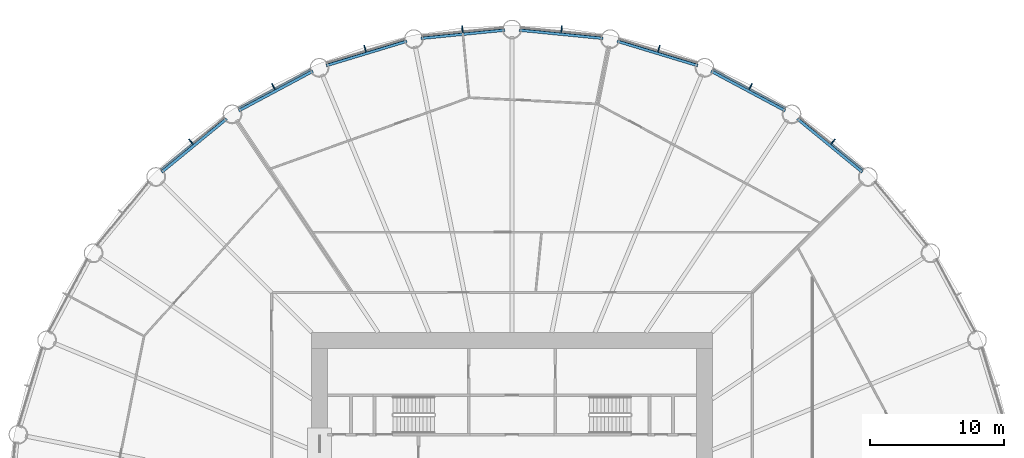
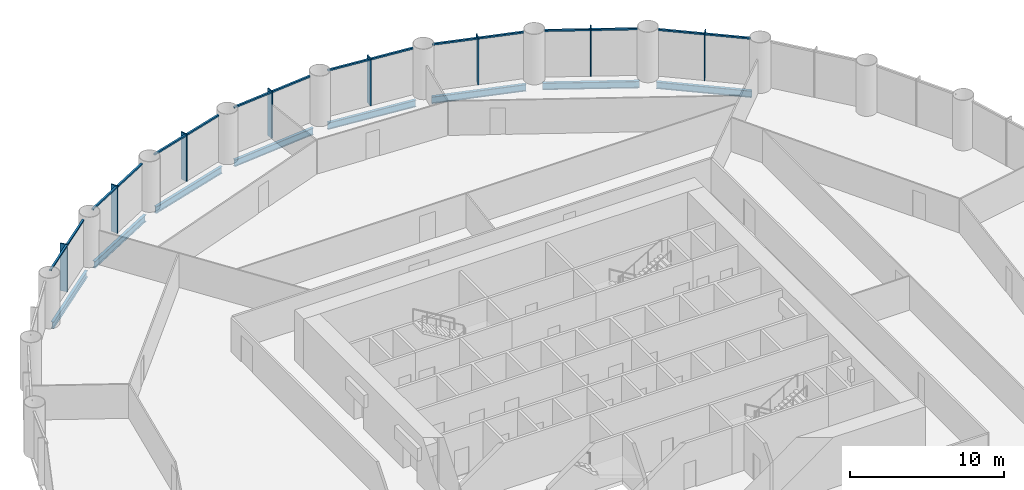
# One storey, part 7 of 15: 24 members, 8 beams, 8 elements without a shape of their own.
"""IFC4 building model written with IfcOpenShell, lengths in metres."""

from ifc_helpers import new_model, si_unit, direction, frame, origin, origin_2d, place, context, subcontext, project, spatial, rectangle, i_section, extrude, material, material_profile, profile_set, type_object, element, aggregate, save


model = new_model("IFC4")

# Units and contexts
model_context = context("Model", 3, precision=1e-05, world=origin(), true_north=direction((0.0, 1.0)))
body_context = subcontext(model_context, "Body", "Model", "MODEL_VIEW")
ifc_project = project(units=[si_unit("LENGTHUNIT", "METRE"), si_unit("AREAUNIT", "SQUARE_METRE"), si_unit("VOLUMEUNIT", "CUBIC_METRE"), si_unit("PLANEANGLEUNIT", "RADIAN"), si_unit("MASSUNIT", "GRAM", prefix="KILO")], contexts=[model_context])

# Site, building, storey
site_placement = place(None, origin())
site = spatial("IfcSite", under=ifc_project, at=site_placement, CompositionType="ELEMENT")
building_placement = place(site_placement, origin())
building = spatial("IfcBuilding", under=site, at=building_placement, Name="Corvane Civic Tower", CompositionType="ELEMENT")
storey_placement = place(building_placement, frame((0.0, 0.0, 45.0)))
storey = spatial("IfcBuildingStorey", under=building, at=storey_placement, Name="L09", CompositionType="ELEMENT", Elevation=45.0)

# Beams
ifc_material_1 = material(Name="Steel ASTM A992 Gr 50", Category="steel")
ifc_material_profile_1 = material_profile(ifc_material_1, i_section(OverallWidth=0.209228515625, OverallDepth=0.533447265625, WebThickness=0.01025390625, FlangeThickness=0.015625, at=origin_2d()), Name="W21X62")
ifc_profile_set_1 = profile_set([ifc_material_profile_1], Name="Steel ASTM A992 Gr 50")
beam_type = type_object("IfcBeamType", Name="EDGE BEAM W21X62", PredefinedType="BEAM", material=ifc_profile_set_1)
beam_1_placement = place(storey_placement, frame((0.54736328125, 37.64599609375, -0.566650390625), z_axis=(0.995186682089, -0.097997284622, 0.0), x_axis=(0.097997284622, 0.995186682089, 0.0)))
element("IfcBeam", 1, at=beam_1_placement, inside=storey, type_object=beam_type, Name="BM-L09-E01", PredefinedType="BEAM", context=body_context, shape_type="SweptSolid", body=[
    extrude(i_section(OverallWidth=0.209228515625, OverallDepth=0.533447265625, WebThickness=0.01025390625, FlangeThickness=0.015625, at=origin_2d()), origin(), (0.0, 0.0, 1.0), 6.29052734375),
])
for number, where, z_axis, x_axis, name in (
    (2, (7.88134765625, 36.81591796875, -0.566650390625), (0.956943740748, -0.290273452184, 0.0), (0.290273452184, 0.956943740748, 0.0), "BM-L09-E02"),
    (3, (14.912353515625, 34.571044921875, -0.566650390625), (0.881916367906, -0.471405897311, 0.0), (0.471405897311, 0.881916367906, 0.0), "BM-L09-E03"),
):
    element("IfcBeam", number, at=place(storey_placement, frame(where, z_axis=z_axis, x_axis=x_axis)), inside=storey, type_object=beam_type, Name=name, PredefinedType="BEAM", context=body_context, shape_type="SweptSolid", body=[
        extrude(i_section(OverallWidth=0.209228515625, OverallDepth=0.533447265625, WebThickness=0.01025390625, FlangeThickness=0.015625, at=origin_2d()), origin(), (0.0, 0.0, 1.0), 6.290283203125),
    ])
for number, where, z_axis, x_axis, name in (
    (4, (21.3701171875, 30.99755859375, -0.566650390625), (0.773015785286, -0.634386787141, 0.0), (0.634386787141, 0.773015785286, 0.0), "BM-L09-E04"),
    (5, (-26.23291015625, 27.0068359375, -0.566650390625), (0.773015785286, 0.634386787141, 0.0), (-0.634386787141, 0.773015785286, 0.0), "BM-L09-E29"),
):
    element("IfcBeam", number, at=place(storey_placement, frame(where, z_axis=z_axis, x_axis=x_axis)), inside=storey, type_object=beam_type, Name=name, PredefinedType="BEAM", context=body_context, shape_type="SweptSolid", body=[
        extrude(i_section(OverallWidth=0.209228515625, OverallDepth=0.533447265625, WebThickness=0.01025390625, FlangeThickness=0.015625, at=origin_2d()), origin(), (0.0, 0.0, 1.0), 6.290771484375),
    ])
for number, where, z_axis, x_axis, name in (
    (6, (-20.4599609375, 31.605712890625, -0.566650390625), (0.881916367906, 0.471405897311, 0.0), (-0.471405897311, 0.881916367906, 0.0), "BM-L09-E30"),
    (7, (-13.90087890625, 34.989990234375, -0.566650390625), (0.956943740748, 0.290273452184, 0.0), (-0.290273452184, 0.956943740748, 0.0), "BM-L09-E31"),
):
    element("IfcBeam", number, at=place(storey_placement, frame(where, z_axis=z_axis, x_axis=x_axis)), inside=storey, type_object=beam_type, Name=name, PredefinedType="BEAM", context=body_context, shape_type="SweptSolid", body=[
        extrude(i_section(OverallWidth=0.209228515625, OverallDepth=0.533447265625, WebThickness=0.01025390625, FlangeThickness=0.015625, at=origin_2d()), origin(), (0.0, 0.0, 1.0), 6.290283203125),
    ])
beam_2_placement = place(storey_placement, frame((-6.8076171875, 37.029541015625, -0.566650390625), z_axis=(0.995186682089, 0.097997284622, 0.0), x_axis=(-0.097997284622, 0.995186682089, 0.0)))
element("IfcBeam", 8, at=beam_2_placement, inside=storey, type_object=beam_type, Name="BM-L09-E32", PredefinedType="BEAM", context=body_context, shape_type="SweptSolid", body=[
    extrude(i_section(OverallWidth=0.209228515625, OverallDepth=0.533447265625, WebThickness=0.01025390625, FlangeThickness=0.015625, at=origin_2d()), origin(), (0.0, 0.0, 1.0), 6.29052734375),
])

# Curtain wall, members
ifc_material_2 = material(Name="Anodised aluminium bronze", Category="aluminium")
curtain_wall_type = type_object("IfcCurtainWallType", Name="TOWER CW-T1 STICK CURTAIN WALL", PredefinedType="NOTDEFINED", material=ifc_material_2)
curtain_wall_1_placement = place(storey_placement, origin())
curtain_wall_1 = element("IfcCurtainWall", 9, at=curtain_wall_1_placement, inside=storey, type_object=curtain_wall_type, Name="Curtain wall CW-T1 L09 bay 01", PredefinedType="NOTDEFINED")
ifc_material_3 = material(Name="Anodised aluminium bronze", Category="aluminium")
ifc_material_profile_2 = material_profile(ifc_material_3, rectangle(XDim=0.139892578125, YDim=0.1201171875, at=origin_2d()), Name="TOWER CW-T1 TRANSOM 140x120")
ifc_profile_set_2 = profile_set([ifc_material_profile_2], Name="Anodised aluminium bronze")
member_type_1 = type_object("IfcMemberType", Name="TOWER CW-T1 TRANSOM 140x120", PredefinedType="USERDEFINED", material=ifc_profile_set_2)
member_1_placement = place(storey_placement, frame((0.6611328125, 37.814697265625, 3.68994140625), z_axis=(0.995191836722, -0.097944923917, 0.0), x_axis=(0.097944923917, 0.995191836722, 0.0)))
member_1 = element("IfcMember", 10, at=member_1_placement, type_object=member_type_1, Name="Transom CW-T1 L09 01.1", ObjectType="TRANSOM", PredefinedType="USERDEFINED", context=body_context, shape_type="SweptSolid", body=[
    extrude(rectangle(XDim=0.139892578125, YDim=0.1201171875, at=origin_2d()), origin(), (0.0, 0.0, 1.0), 3.008544921875),
])
member_2_placement = place(storey_placement, frame((3.73486328125, 37.511962890625, 3.68994140625), z_axis=(0.995191836722, -0.097944923917, 0.0), x_axis=(0.097944923917, 0.995191836722, 0.0)))
member_2 = element("IfcMember", 11, at=member_2_placement, type_object=member_type_1, Name="Transom CW-T1 L09 01.2", ObjectType="TRANSOM", PredefinedType="USERDEFINED", context=body_context, shape_type="SweptSolid", body=[
    extrude(rectangle(XDim=0.139892578125, YDim=0.1201171875, at=origin_2d()), origin(), (0.0, 0.0, 1.0), 3.008544921875),
])

curtain_wall_2_placement = place(storey_placement, origin())
curtain_wall_2 = element("IfcCurtainWall", 12, at=curtain_wall_2_placement, inside=storey, type_object=curtain_wall_type, Name="Curtain wall CW-T1 L09 bay 02", PredefinedType="NOTDEFINED")
member_3_placement = place(storey_placement, frame((8.02587890625, 36.959228515625, 3.68994140625), z_axis=(0.956941780555, -0.290279914268, 0.0), x_axis=(0.290279914268, 0.956941780555, 0.0)))
member_3 = element("IfcMember", 13, at=member_3_placement, type_object=member_type_1, Name="Transom CW-T1 L09 02.1", ObjectType="TRANSOM", PredefinedType="USERDEFINED", context=body_context, shape_type="SweptSolid", body=[
    extrude(rectangle(XDim=0.139892578125, YDim=0.1201171875, at=origin_2d()), origin(), (0.0, 0.0, 1.0), 3.008544921875),
])
member_4_placement = place(storey_placement, frame((10.9814453125, 36.062744140625, 3.68994140625), z_axis=(0.956941780555, -0.290279914268, 0.0), x_axis=(0.290279914268, 0.956941780555, 0.0)))
member_4 = element("IfcMember", 14, at=member_4_placement, type_object=member_type_1, Name="Transom CW-T1 L09 02.2", ObjectType="TRANSOM", PredefinedType="USERDEFINED", context=body_context, shape_type="SweptSolid", body=[
    extrude(rectangle(XDim=0.139892578125, YDim=0.1201171875, at=origin_2d()), origin(), (0.0, 0.0, 1.0), 3.008544921875),
])

curtain_wall_3_placement = place(storey_placement, origin())
curtain_wall_3 = element("IfcCurtainWall", 15, at=curtain_wall_3_placement, inside=storey, type_object=curtain_wall_type, Name="Curtain wall CW-T1 L09 bay 03", PredefinedType="NOTDEFINED")
member_5_placement = place(storey_placement, frame((15.08203125, 34.683349609375, 3.68994140625), z_axis=(0.881923525532, -0.471392506424, 0.0), x_axis=(0.471392506424, 0.881923525532, 0.0)))
member_5 = element("IfcMember", 16, at=member_5_placement, type_object=member_type_1, Name="Transom CW-T1 L09 03.1", ObjectType="TRANSOM", PredefinedType="USERDEFINED", context=body_context, shape_type="SweptSolid", body=[
    extrude(rectangle(XDim=0.139892578125, YDim=0.1201171875, at=origin_2d()), origin(), (0.0, 0.0, 1.0), 3.008544921875),
])
member_6_placement = place(storey_placement, frame((17.805908203125, 33.2275390625, 3.68994140625), z_axis=(0.881923525532, -0.471392506424, 0.0), x_axis=(0.471392506424, 0.881923525532, 0.0)))
member_6 = element("IfcMember", 17, at=member_6_placement, type_object=member_type_1, Name="Transom CW-T1 L09 03.2", ObjectType="TRANSOM", PredefinedType="USERDEFINED", context=body_context, shape_type="SweptSolid", body=[
    extrude(rectangle(XDim=0.139892578125, YDim=0.1201171875, at=origin_2d()), origin(), (0.0, 0.0, 1.0), 3.008544921875),
])

curtain_wall_4_placement = place(storey_placement, origin())
curtain_wall_4 = element("IfcCurtainWall", 18, at=curtain_wall_4_placement, inside=storey, type_object=curtain_wall_type, Name="Curtain wall CW-T1 L09 bay 04", PredefinedType="NOTDEFINED")
member_7_placement = place(storey_placement, frame((21.55859375, 31.074462890625, 3.68994140625), z_axis=(0.773041738279, -0.634355161466, 0.0), x_axis=(0.634355161466, 0.773041738279, 0.0)))
member_7 = element("IfcMember", 19, at=member_7_placement, type_object=member_type_1, Name="Transom CW-T1 L09 04.1", ObjectType="TRANSOM", PredefinedType="USERDEFINED", context=body_context, shape_type="SweptSolid", body=[
    extrude(rectangle(XDim=0.139892578125, YDim=0.1201171875, at=origin_2d()), origin(), (0.0, 0.0, 1.0), 3.008544921875),
])
member_8_placement = place(storey_placement, frame((23.946044921875, 29.115234375, 3.68994140625), z_axis=(0.773001943873, -0.634403652865, 0.0), x_axis=(0.634403652865, 0.773001943873, 0.0)))
member_8 = element("IfcMember", 20, at=member_8_placement, type_object=member_type_1, Name="Transom CW-T1 L09 04.2", ObjectType="TRANSOM", PredefinedType="USERDEFINED", context=body_context, shape_type="SweptSolid", body=[
    extrude(rectangle(XDim=0.139892578125, YDim=0.1201171875, at=origin_2d()), origin(), (0.0, 0.0, 1.0), 3.008544921875),
])

curtain_wall_5_placement = place(storey_placement, origin())
curtain_wall_5 = element("IfcCurtainWall", 21, at=curtain_wall_5_placement, inside=storey, type_object=curtain_wall_type, Name="Curtain wall CW-T1 L09 bay 29", PredefinedType="NOTDEFINED")
member_9_placement = place(storey_placement, frame((-26.271728515625, 27.20654296875, 3.68994140625), z_axis=(0.773001943873, 0.634403652865, 0.0), x_axis=(-0.634403652865, 0.773001943873, 0.0)))
member_9 = element("IfcMember", 22, at=member_9_placement, type_object=member_type_1, Name="Transom CW-T1 L09 29.1", ObjectType="TRANSOM", PredefinedType="USERDEFINED", context=body_context, shape_type="SweptSolid", body=[
    extrude(rectangle(XDim=0.139892578125, YDim=0.1201171875, at=origin_2d()), origin(), (0.0, 0.0, 1.0), 3.008544921875),
])
member_10_placement = place(storey_placement, frame((-23.88427734375, 29.166015625, 3.68994140625), z_axis=(0.773041738279, 0.634355161466, 0.0), x_axis=(-0.634355161466, 0.773041738279, 0.0)))
member_10 = element("IfcMember", 23, at=member_10_placement, type_object=member_type_1, Name="Transom CW-T1 L09 29.2", ObjectType="TRANSOM", PredefinedType="USERDEFINED", context=body_context, shape_type="SweptSolid", body=[
    extrude(rectangle(XDim=0.139892578125, YDim=0.1201171875, at=origin_2d()), origin(), (0.0, 0.0, 1.0), 3.008544921875),
])

curtain_wall_6_placement = place(storey_placement, origin())
curtain_wall_6 = element("IfcCurtainWall", 24, at=curtain_wall_6_placement, inside=storey, type_object=curtain_wall_type, Name="Curtain wall CW-T1 L09 bay 30", PredefinedType="NOTDEFINED")
member_11_placement = place(storey_placement, frame((-20.459228515625, 31.809326171875, 3.68994140625), z_axis=(0.881923525532, 0.471392506424, 0.0), x_axis=(-0.471392506424, 0.881923525532, 0.0)))
member_11 = element("IfcMember", 25, at=member_11_placement, type_object=member_type_1, Name="Transom CW-T1 L09 30.1", ObjectType="TRANSOM", PredefinedType="USERDEFINED", context=body_context, shape_type="SweptSolid", body=[
    extrude(rectangle(XDim=0.139892578125, YDim=0.1201171875, at=origin_2d()), origin(), (0.0, 0.0, 1.0), 3.008544921875),
])
member_12_placement = place(storey_placement, frame((-17.7353515625, 33.26513671875, 3.68994140625), z_axis=(0.881923525532, 0.471392506424, 0.0), x_axis=(-0.471392506424, 0.881923525532, 0.0)))
member_12 = element("IfcMember", 26, at=member_12_placement, type_object=member_type_1, Name="Transom CW-T1 L09 30.2", ObjectType="TRANSOM", PredefinedType="USERDEFINED", context=body_context, shape_type="SweptSolid", body=[
    extrude(rectangle(XDim=0.139892578125, YDim=0.1201171875, at=origin_2d()), origin(), (0.0, 0.0, 1.0), 3.008544921875),
])

curtain_wall_7_placement = place(storey_placement, origin())
curtain_wall_7 = element("IfcCurtainWall", 27, at=curtain_wall_7_placement, inside=storey, type_object=curtain_wall_type, Name="Curtain wall CW-T1 L09 bay 31", PredefinedType="NOTDEFINED")
member_13_placement = place(storey_placement, frame((-13.8603515625, 35.189453125, 3.68994140625), z_axis=(0.956941780555, 0.290279914268, 0.0), x_axis=(-0.290279914268, 0.956941780555, 0.0)))
member_13 = element("IfcMember", 28, at=member_13_placement, type_object=member_type_1, Name="Transom CW-T1 L09 31.1", ObjectType="TRANSOM", PredefinedType="USERDEFINED", context=body_context, shape_type="SweptSolid", body=[
    extrude(rectangle(XDim=0.139892578125, YDim=0.1201171875, at=origin_2d()), origin(), (0.0, 0.0, 1.0), 3.008544921875),
])
member_14_placement = place(storey_placement, frame((-10.90478515625, 36.0859375, 3.68994140625), z_axis=(0.956941780555, 0.290279914268, 0.0), x_axis=(-0.290279914268, 0.956941780555, 0.0)))
member_14 = element("IfcMember", 29, at=member_14_placement, type_object=member_type_1, Name="Transom CW-T1 L09 31.2", ObjectType="TRANSOM", PredefinedType="USERDEFINED", context=body_context, shape_type="SweptSolid", body=[
    extrude(rectangle(XDim=0.139892578125, YDim=0.1201171875, at=origin_2d()), origin(), (0.0, 0.0, 1.0), 3.008544921875),
])

curtain_wall_8_placement = place(storey_placement, origin())
curtain_wall_8 = element("IfcCurtainWall", 30, at=curtain_wall_8_placement, inside=storey, type_object=curtain_wall_type, Name="Curtain wall CW-T1 L09 bay 32", PredefinedType="NOTDEFINED")
member_15_placement = place(storey_placement, frame((-6.72900390625, 37.21728515625, 3.68994140625), z_axis=(0.995191836722, 0.097944923917, 0.0), x_axis=(-0.097944923917, 0.995191836722, 0.0)))
member_15 = element("IfcMember", 31, at=member_15_placement, type_object=member_type_1, Name="Transom CW-T1 L09 32.1", ObjectType="TRANSOM", PredefinedType="USERDEFINED", context=body_context, shape_type="SweptSolid", body=[
    extrude(rectangle(XDim=0.139892578125, YDim=0.1201171875, at=origin_2d()), origin(), (0.0, 0.0, 1.0), 3.008544921875),
])
member_16_placement = place(storey_placement, frame((-3.6552734375, 37.52001953125, 3.68994140625), z_axis=(0.995191836722, 0.097944923917, 0.0), x_axis=(-0.097944923917, 0.995191836722, 0.0)))
member_16 = element("IfcMember", 32, at=member_16_placement, type_object=member_type_1, Name="Transom CW-T1 L09 32.2", ObjectType="TRANSOM", PredefinedType="USERDEFINED", context=body_context, shape_type="SweptSolid", body=[
    extrude(rectangle(XDim=0.139892578125, YDim=0.1201171875, at=origin_2d()), origin(), (0.0, 0.0, 1.0), 3.008544921875),
])

# Member
ifc_material_4 = material(Name="Anodised aluminium bronze", Category="aluminium")
ifc_material_profile_3 = material_profile(ifc_material_4, rectangle(XDim=0.080078125, YDim=0.5, at=origin_2d()), Name="TOWER FIN MULLION 80x500 BRONZE")
ifc_profile_set_3 = profile_set([ifc_material_profile_3], Name="Anodised aluminium bronze")
member_type_2 = type_object("IfcMemberType", Name="TOWER FIN MULLION 80x500 BRONZE", PredefinedType="MULLION", material=ifc_profile_set_3)
member_17_placement = place(storey_placement, frame((3.714599609375, 37.715087890625, 0.0), z_axis=(0.0, 0.0, 1.0), x_axis=(0.995185800248, -0.098006239521, 0.0)))
member_17 = element("IfcMember", 33, at=member_17_placement, type_object=member_type_2, Name="Fin mullion 01 L09", PredefinedType="MULLION", context=body_context, shape_type="SweptSolid", body=[
    extrude(rectangle(XDim=0.080078125, YDim=0.5, at=origin_2d()), origin(), (0.0, 0.0, 1.0), 3.75),
])

aggregate(curtain_wall_1, [member_17, member_1, member_2])

member_18_placement = place(storey_placement, frame((11.001220703125, 36.265625, 0.0), z_axis=(0.0, 0.0, 1.0), x_axis=(0.956942240606, -0.290278397654, 0.0)))
member_18 = element("IfcMember", 34, at=member_18_placement, type_object=member_type_2, Name="Fin mullion 02 L09", PredefinedType="MULLION", context=body_context, shape_type="SweptSolid", body=[
    extrude(rectangle(XDim=0.080078125, YDim=0.5, at=origin_2d()), origin(), (0.0, 0.0, 1.0), 3.75),
])

aggregate(curtain_wall_2, [member_18, member_3, member_4])

member_19_placement = place(storey_placement, frame((17.86474609375, 33.422607421875, 0.0), z_axis=(0.0, 0.0, 1.0), x_axis=(0.881917528864, -0.471403725359, 0.0)))
member_19 = element("IfcMember", 35, at=member_19_placement, type_object=member_type_2, Name="Fin mullion 03 L09", PredefinedType="MULLION", context=body_context, shape_type="SweptSolid", body=[
    extrude(rectangle(XDim=0.080078125, YDim=0.5, at=origin_2d()), origin(), (0.0, 0.0, 1.0), 3.75),
])

aggregate(curtain_wall_3, [member_19, member_5, member_6])

member_20_placement = place(storey_placement, frame((24.0419921875, 29.295166015625, 0.0), z_axis=(0.0, 0.0, 1.0), x_axis=(0.773007224463, -0.634397218569, 0.0)))
member_20 = element("IfcMember", 36, at=member_20_placement, type_object=member_type_2, Name="Fin mullion 04 L09", PredefinedType="MULLION", context=body_context, shape_type="SweptSolid", body=[
    extrude(rectangle(XDim=0.080078125, YDim=0.5, at=origin_2d()), origin(), (0.0, 0.0, 1.0), 3.75),
])

aggregate(curtain_wall_4, [member_20, member_7, member_8])

member_21_placement = place(storey_placement, frame((-24.0419921875, 29.295166015625, 0.0), z_axis=(0.0, 0.0, 1.0), x_axis=(0.773007224463, 0.634397218569, 0.0)))
member_21 = element("IfcMember", 37, at=member_21_placement, type_object=member_type_2, Name="Fin mullion 29 L09", PredefinedType="MULLION", context=body_context, shape_type="SweptSolid", body=[
    extrude(rectangle(XDim=0.080078125, YDim=0.5, at=origin_2d()), origin(), (0.0, 0.0, 1.0), 3.75),
])

aggregate(curtain_wall_5, [member_21, member_9, member_10])

member_22_placement = place(storey_placement, frame((-17.86474609375, 33.422607421875, 0.0), z_axis=(0.0, 0.0, 1.0), x_axis=(0.881917528864, 0.471403725359, 0.0)))
member_22 = element("IfcMember", 38, at=member_22_placement, type_object=member_type_2, Name="Fin mullion 30 L09", PredefinedType="MULLION", context=body_context, shape_type="SweptSolid", body=[
    extrude(rectangle(XDim=0.080078125, YDim=0.5, at=origin_2d()), origin(), (0.0, 0.0, 1.0), 3.75),
])

aggregate(curtain_wall_6, [member_22, member_11, member_12])

member_23_placement = place(storey_placement, frame((-11.001220703125, 36.265625, 0.0), z_axis=(0.0, 0.0, 1.0), x_axis=(0.956942240606, 0.290278397654, 0.0)))
member_23 = element("IfcMember", 39, at=member_23_placement, type_object=member_type_2, Name="Fin mullion 31 L09", PredefinedType="MULLION", context=body_context, shape_type="SweptSolid", body=[
    extrude(rectangle(XDim=0.080078125, YDim=0.5, at=origin_2d()), origin(), (0.0, 0.0, 1.0), 3.75),
])

aggregate(curtain_wall_7, [member_23, member_13, member_14])

member_24_placement = place(storey_placement, frame((-3.714599609375, 37.715087890625, 0.0), z_axis=(0.0, 0.0, 1.0), x_axis=(0.995185800248, 0.098006239521, 0.0)))
member_24 = element("IfcMember", 40, at=member_24_placement, type_object=member_type_2, Name="Fin mullion 32 L09", PredefinedType="MULLION", context=body_context, shape_type="SweptSolid", body=[
    extrude(rectangle(XDim=0.080078125, YDim=0.5, at=origin_2d()), origin(), (0.0, 0.0, 1.0), 3.75),
])

aggregate(curtain_wall_8, [member_24, member_15, member_16])

save(model, "model.ifc")
